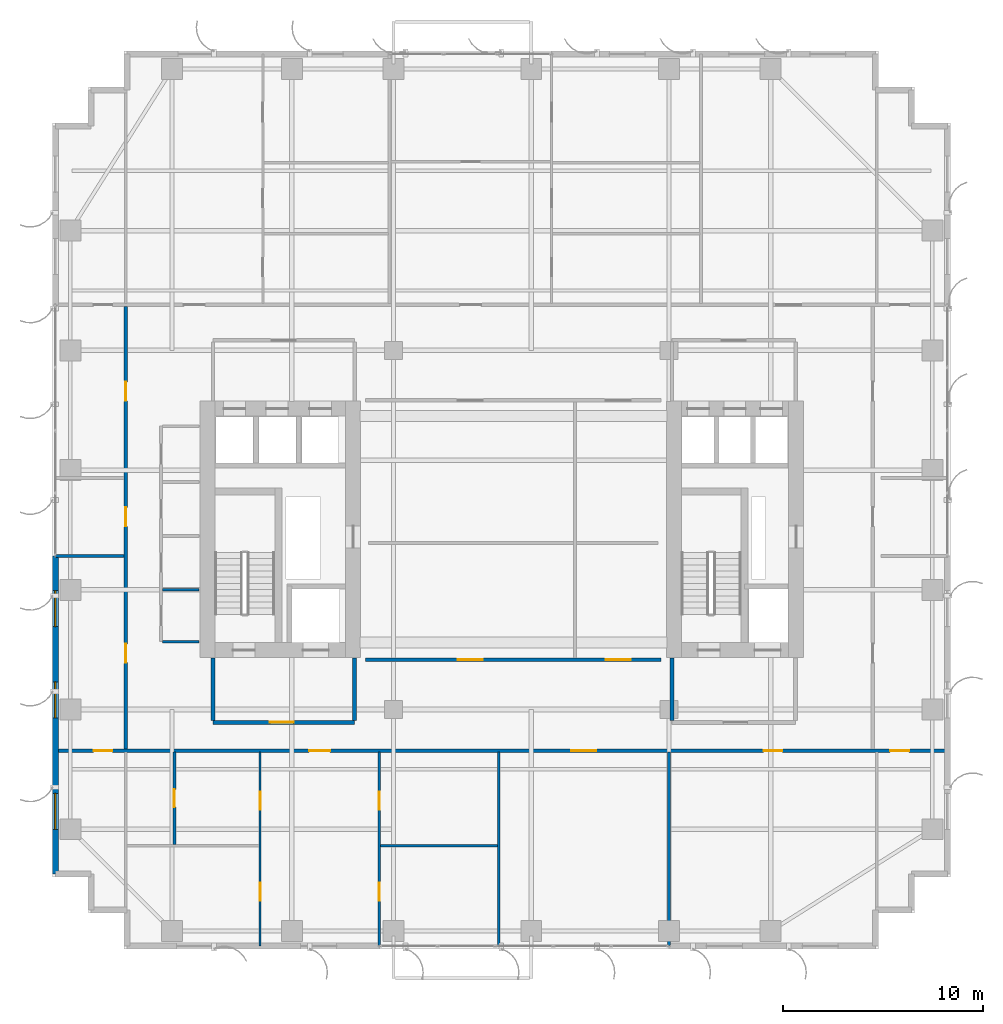
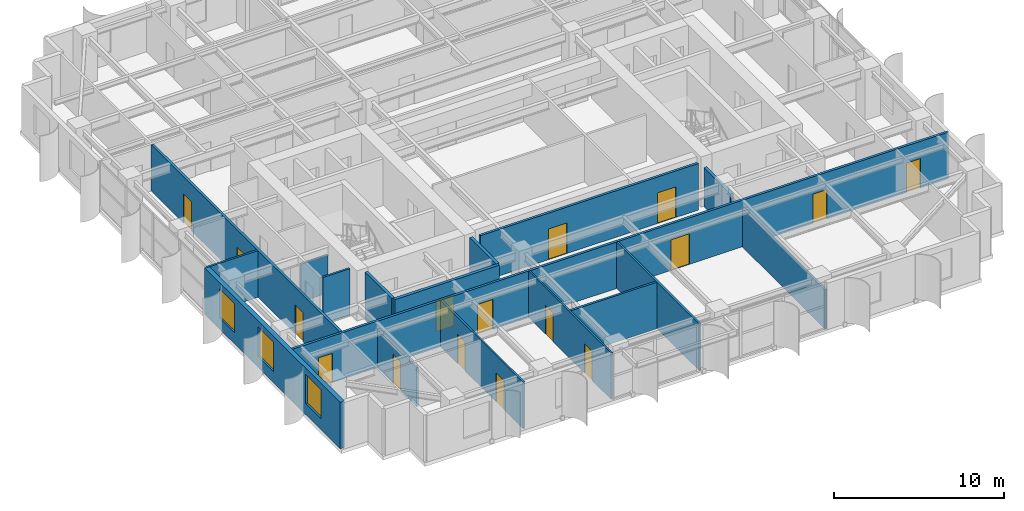
# One storey, part 16 of 23: 17 walls, 16 doors, 3 windows, 19 openings.
"""IFC4 building model written with IfcOpenShell, lengths in metres."""

from ifc_helpers import new_model, si_unit, direction, frame, frame_2d, origin, place, context, subcontext, project, spatial, rectangle, extrude, source, transform, mapped, material, layer, layer_set, type_object, element, fill, save


model = new_model("IFC4")

# Units and contexts
model_context = context("Model", 3, precision=1e-05, world=origin(), true_north=direction((0.0, 1.0)))
body_context = subcontext(model_context, "Body", "Model", "MODEL_VIEW")
ifc_project = project(units=[si_unit("LENGTHUNIT", "METRE"), si_unit("AREAUNIT", "SQUARE_METRE"), si_unit("VOLUMEUNIT", "CUBIC_METRE"), si_unit("PLANEANGLEUNIT", "RADIAN"), si_unit("MASSUNIT", "GRAM", prefix="KILO")], contexts=[model_context])

# Site, building, storey
site_placement = place(None, origin())
site = spatial("IfcSite", under=ifc_project, at=site_placement, CompositionType="ELEMENT")
building_placement = place(site_placement, origin())
building = spatial("IfcBuilding", under=site, at=building_placement, Name="Khoralis Quay Care Tower", CompositionType="ELEMENT")
storey_placement = place(building_placement, frame((0.0, 0.0, 119.699951171875)))
storey = spatial("IfcBuildingStorey", under=building, at=storey_placement, Name="L31", CompositionType="ELEMENT", Elevation=119.699951171875)

# Wall, opening, door
ifc_material_1 = material(Name="Gypsum plasterboard on acoustic metal stud")
ifc_layer_1 = layer(ifc_material_1, 0.199951171875)
ifc_layer_set_1 = layer_set([ifc_layer_1], Name="Gypsum plasterboard on acoustic metal stud")
wall_type_1 = type_object("IfcWallType", Name="WL-COMP-200", PredefinedType="PARTITIONING", material=ifc_layer_set_1)
wall_1_placement = place(storey_placement, frame((8.050048828125, 11.35009765625, 0.0), z_axis=(0.0, 0.0, 1.0), x_axis=(1.0, 0.0, 0.0)))
wall_1 = element("IfcWall", 1, at=wall_1_placement, inside=storey, type_object=wall_type_1, Name="L31 West Firefighting Lobby South Wall", PredefinedType="PARTITIONING", context=body_context, shape_type="SweptSolid", body=[
    extrude(rectangle(XDim=7.099853515625, YDim=0.199951171875, at=frame_2d((3.5498046875, 0.0))), origin(), (0.0, 0.0, 1.0), 3.340087890625),
])
opening_1_placement = place(wall_1_placement, frame((2.846435546875, 0.0, 0.0)))
opening_1 = element("IfcOpeningElement", 2, at=opening_1_placement, cuts=wall_1, Name="Opening FD1", PredefinedType="OPENING", context=body_context, shape_type="SweptSolid", body=[
    extrude(rectangle(XDim=1.199951171875, YDim=2.199951171875, at=frame_2d((0.60009765625, 1.10009765625))), frame((0.0, 0.10986328125, 0.0), z_axis=(0.0, -1.0, 0.0), x_axis=(1.0, 0.0, 0.0)), (0.0, 0.0, 1.0), 0.219970703125),
])
ifc_material_2 = material(Name="Fire-rated painted steel", Category="steel")
door_type_1 = type_object("IfcDoorType", Name="DR-FFL-1200X2200", OperationType="NOTDEFINED", PredefinedType="DOOR", material=ifc_material_2)
shared_shape_1 = source(origin(), body_context, "Body", "SweptSolid", [
    extrude(rectangle(XDim=1.199951171875, YDim=2.199951171875, at=frame_2d((0.60009765625, 1.10009765625))), frame((0.0, 0.02490234375, 0.0), z_axis=(0.0, -1.0, 0.0), x_axis=(1.0, 0.0, 0.0)), (0.0, 0.0, 1.0), 0.050048828125),
])
door_1_placement = place(opening_1_placement, origin())
door_1 = element("IfcDoor", 3, at=door_1_placement, inside=storey, type_object=door_type_1, Name="L31 West Firefighting Lobby Fire Door", OperationType="SINGLE_SWING_LEFT", OverallHeight=2.199951171875, OverallWidth=1.199951171875, PredefinedType="DOOR", context=body_context, shape_type="MappedRepresentation", body=[
    mapped(shared_shape_1, transform((0.0, 0.0, 0.0), scale=1.0)),
])
fill(opening_1, door_1)

# Walls
for number, where, z_axis, x_axis, name in (
    (4, (8.050048828125, 11.445068359375, 0.0), (0.0, 0.0, 1.0), (0.0, 1.0, 0.0), "L31 West Firefighting Lobby West Wall"),
    (5, (15.14990234375, 11.445068359375, 0.0), (0.0, 0.0, 1.0), (0.0, 1.0, 0.0), "L31 West Firefighting Lobby East Wall"),
):
    element("IfcWall", number, at=place(storey_placement, frame(where, z_axis=z_axis, x_axis=x_axis)), inside=storey, type_object=wall_type_1, Name=name, PredefinedType="PARTITIONING", context=body_context, shape_type="SweptSolid", body=[
        extrude(rectangle(XDim=3.135009765625, YDim=0.199951171875, at=frame_2d((1.5673828125, 0.0))), origin(), (0.0, 0.0, 1.0), 3.340087890625),
    ])
wall_2_placement = place(storey_placement, frame((31.050048828125, 11.445068359375, 0.0), z_axis=(0.0, 0.0, 1.0), x_axis=(0.0, 1.0, 0.0)))
element("IfcWall", 6, at=wall_2_placement, inside=storey, type_object=wall_type_1, Name="L31 East Firefighting Lobby West Wall", PredefinedType="PARTITIONING", context=body_context, shape_type="SweptSolid", body=[
    extrude(rectangle(XDim=3.135009765625, YDim=0.199951171875, at=frame_2d((1.5673828125, 0.0))), origin(), (0.0, 0.0, 1.0), 2.796142578125),
])

# Wall, openings, doors
ifc_layer_2 = layer(ifc_material_1, 0.1650390625)
ifc_layer_set_2 = layer_set([ifc_layer_2], Name="Gypsum plasterboard on acoustic metal stud")
wall_type_2 = type_object("IfcWallType", Name="WL-CORR-165", PredefinedType="PARTITIONING", material=ifc_layer_set_2)
wall_3_placement = place(storey_placement, frame((0.14501953125, 9.93994140625, 0.0), z_axis=(0.0, 0.0, 1.0), x_axis=(1.0, 0.0, 0.0)))
wall_3 = element("IfcWall", 7, at=wall_3_placement, inside=storey, type_object=wall_type_2, Name="L31 South Main Corridor Wall", PredefinedType="PARTITIONING", context=body_context, shape_type="SweptSolid", body=[
    extrude(rectangle(XDim=44.7099609375, YDim=0.1650390625, at=frame_2d((22.35498046875, 0.0))), origin(), (0.0, 0.0, 1.0), 3.340087890625),
])
opening_2_placement = place(wall_3_placement, frame((12.728515625, 0.0, 0.0)))
opening_2 = element("IfcOpeningElement", 8, at=opening_2_placement, cuts=wall_3, Name="Opening UD1", PredefinedType="OPENING", context=body_context, shape_type="SweptSolid", body=[
    extrude(rectangle(XDim=1.050048828125, YDim=2.14990234375, at=frame_2d((0.52490234375, 1.074951171875))), frame((0.0, 0.092529296875, 0.0), z_axis=(0.0, -1.0, 0.0), x_axis=(1.0, 0.0, 0.0)), (0.0, 0.0, 1.0), 0.18505859375),
])
opening_3_placement = place(wall_3_placement, frame((25.8701171875, 0.0, 0.0)))
opening_3 = element("IfcOpeningElement", 9, at=opening_3_placement, cuts=wall_3, Name="Opening CD1", PredefinedType="OPENING", context=body_context, shape_type="SweptSolid", body=[
    extrude(rectangle(XDim=1.25, YDim=2.199951171875, at=frame_2d((0.625, 1.10009765625))), frame((0.0, 0.092529296875, 0.0), z_axis=(0.0, -1.0, 0.0), x_axis=(1.0, 0.0, 0.0)), (0.0, 0.0, 1.0), 0.18505859375),
])
opening_4_placement = place(wall_3_placement, frame((35.4951171875, 0.0, 0.0)))
opening_4 = element("IfcOpeningElement", 10, at=opening_4_placement, cuts=wall_3, Name="Opening ID1", PredefinedType="OPENING", context=body_context, shape_type="SweptSolid", body=[
    extrude(rectangle(XDim=0.949951171875, YDim=2.10009765625, at=frame_2d((0.47509765625, 1.050048828125))), frame((0.0, 0.092529296875, 0.0), z_axis=(0.0, -1.0, 0.0), x_axis=(1.0, 0.0, 0.0)), (0.0, 0.0, 1.0), 0.18505859375),
])
opening_5_placement = place(wall_3_placement, frame((1.919921875, 0.0, 0.0)))
opening_5 = element("IfcOpeningElement", 11, at=opening_5_placement, cuts=wall_3, Name="Opening ID1", PredefinedType="OPENING", context=body_context, shape_type="SweptSolid", body=[
    extrude(rectangle(XDim=0.949951171875, YDim=2.10009765625, at=frame_2d((0.47509765625, 1.050048828125))), frame((0.0, 0.092529296875, 0.0), z_axis=(0.0, -1.0, 0.0), x_axis=(1.0, 0.0, 0.0)), (0.0, 0.0, 1.0), 0.18505859375),
])
opening_6_placement = place(wall_3_placement, frame((41.840087890625, 0.0, 0.0)))
opening_6 = element("IfcOpeningElement", 12, at=opening_6_placement, cuts=wall_3, Name="Opening ID1", PredefinedType="OPENING", context=body_context, shape_type="SweptSolid", body=[
    extrude(rectangle(XDim=0.949951171875, YDim=2.10009765625, at=frame_2d((0.47509765625, 1.050048828125))), frame((0.0, 0.092529296875, 0.0), z_axis=(0.0, -1.0, 0.0), x_axis=(1.0, 0.0, 0.0)), (0.0, 0.0, 1.0), 0.18505859375),
])
ifc_material_3 = material(Name="Acoustic hardwood timber", Category="wood")
door_type_2 = type_object("IfcDoorType", Name="DR-CARE-1250X2200", OperationType="NOTDEFINED", PredefinedType="DOOR", material=ifc_material_3)
shared_shape_2 = source(origin(), body_context, "Body", "SweptSolid", [
    extrude(rectangle(XDim=1.25, YDim=2.199951171875, at=frame_2d((0.625, 1.10009765625))), frame((0.0, 0.02490234375, 0.0), z_axis=(0.0, -1.0, 0.0), x_axis=(1.0, 0.0, 0.0)), (0.0, 0.0, 1.0), 0.050048828125),
])
door_2_placement = place(opening_3_placement, frame((1.25, 0.0, 0.0), z_axis=(0.0, 0.0, 1.0), x_axis=(-1.0, 0.0, 0.0)))
door_2 = element("IfcDoor", 13, at=door_2_placement, inside=storey, type_object=door_type_2, Name="L31 Geriatric Consultation Clinic Door", OperationType="SINGLE_SWING_RIGHT", OverallHeight=2.199951171875, OverallWidth=1.25, PredefinedType="DOOR", context=body_context, shape_type="MappedRepresentation", body=[
    mapped(shared_shape_2, transform((0.0, 0.0, 0.0), scale=1.0)),
])
fill(opening_3, door_2)
door_type_3 = type_object("IfcDoorType", Name="DR-ROOM-950X2100", OperationType="NOTDEFINED", PredefinedType="DOOR", material=ifc_material_3)
shared_shape_3 = source(origin(), body_context, "Body", "SweptSolid", [
    extrude(rectangle(XDim=0.949951171875, YDim=2.10009765625, at=frame_2d((0.47509765625, 1.050048828125))), frame((0.0, 0.02490234375, 0.0), z_axis=(0.0, -1.0, 0.0), x_axis=(1.0, 0.0, 0.0)), (0.0, 0.0, 1.0), 0.050048828125),
])
door_3_placement = place(opening_4_placement, frame((0.949951171875, 0.0, 0.0), z_axis=(0.0, 0.0, 1.0), x_axis=(-1.0, 0.0, 0.0)))
door_3 = element("IfcDoor", 14, at=door_3_placement, inside=storey, type_object=door_type_3, Name="L31 Family Case Conference Room Door", OperationType="SINGLE_SWING_RIGHT", OverallHeight=2.10009765625, OverallWidth=0.949951171875, PredefinedType="DOOR", context=body_context, shape_type="MappedRepresentation", body=[
    mapped(shared_shape_3, transform((0.0, 0.0, 0.0), scale=1.0)),
])
fill(opening_4, door_3)
door_4_placement = place(opening_5_placement, frame((0.949951171875, 0.0, 0.0), z_axis=(0.0, 0.0, 1.0), x_axis=(-1.0, 0.0, 0.0)))
door_4 = element("IfcDoor", 15, at=door_4_placement, inside=storey, type_object=door_type_3, Name="L31 SW Corner Door", OperationType="SINGLE_SWING_LEFT", OverallHeight=2.10009765625, OverallWidth=0.949951171875, PredefinedType="DOOR", context=body_context, shape_type="MappedRepresentation", body=[
    mapped(shared_shape_3, transform((0.0, 0.0, 0.0), scale=1.0)),
])
fill(opening_5, door_4)
door_5_placement = place(opening_6_placement, frame((0.949951171875, 0.0, 0.0), z_axis=(0.0, 0.0, 1.0), x_axis=(-1.0, 0.0, 0.0)))
door_5 = element("IfcDoor", 16, at=door_5_placement, inside=storey, type_object=door_type_3, Name="L31 SE Corner Door", OperationType="SINGLE_SWING_RIGHT", OverallHeight=2.10009765625, OverallWidth=0.949951171875, PredefinedType="DOOR", context=body_context, shape_type="MappedRepresentation", body=[
    mapped(shared_shape_3, transform((0.0, 0.0, 0.0), scale=1.0)),
])
fill(opening_6, door_5)
door_type_4 = type_object("IfcDoorType", Name="DR-SUITE-1050X2150", OperationType="NOTDEFINED", PredefinedType="DOOR", material=ifc_material_3)
shared_shape_4 = source(origin(), body_context, "Body", "SweptSolid", [
    extrude(rectangle(XDim=1.050048828125, YDim=2.14990234375, at=frame_2d((0.52490234375, 1.074951171875))), frame((0.0, 0.02490234375, 0.0), z_axis=(0.0, -1.0, 0.0), x_axis=(1.0, 0.0, 0.0)), (0.0, 0.0, 1.0), 0.050048828125),
])
door_6_placement = place(opening_2_placement, frame((1.050048828125, 0.0, 0.0), z_axis=(0.0, 0.0, 1.0), x_axis=(-1.0, 0.0, 0.0)))
door_6 = element("IfcDoor", 17, at=door_6_placement, inside=storey, type_object=door_type_4, Name="L31 2BR SB0 Entrance", OperationType="SINGLE_SWING_LEFT", OverallHeight=2.14990234375, OverallWidth=1.050048828125, PredefinedType="DOOR", context=body_context, shape_type="MappedRepresentation", body=[
    mapped(shared_shape_4, transform((0.0, 0.0, 0.0), scale=1.0)),
])
fill(opening_2, door_6)

wall_4_placement = place(storey_placement, frame((3.679931640625, 10.017578125, 0.0), z_axis=(0.0, 0.0, 1.0), x_axis=(0.0, 1.0, 0.0)))
wall_4 = element("IfcWall", 18, at=wall_4_placement, inside=storey, type_object=wall_type_2, Name="L31 West Loop Corridor Wall", PredefinedType="PARTITIONING", context=body_context, shape_type="SweptSolid", body=[
    extrude(rectangle(XDim=22.184814453125, YDim=0.1650390625, at=frame_2d((11.09228515625, 0.0))), origin(), (0.0, 0.0, 1.0), 3.340087890625),
])
opening_7_placement = place(wall_4_placement, frame((4.327392578125, 0.0, 0.0)))
opening_7 = element("IfcOpeningElement", 19, at=opening_7_placement, cuts=wall_4, Name="Opening ID1", PredefinedType="OPENING", context=body_context, shape_type="SweptSolid", body=[
    extrude(rectangle(XDim=0.949951171875, YDim=2.10009765625, at=frame_2d((0.47509765625, 1.050048828125))), frame((0.0, 0.092529296875, 0.0), z_axis=(0.0, -1.0, 0.0), x_axis=(1.0, 0.0, 0.0)), (0.0, 0.0, 1.0), 0.18505859375),
])
opening_8_placement = place(wall_4_placement, frame((11.157470703125, 0.0, 0.0)))
opening_8 = element("IfcOpeningElement", 20, at=opening_8_placement, cuts=wall_4, Name="Opening ID1", PredefinedType="OPENING", context=body_context, shape_type="SweptSolid", body=[
    extrude(rectangle(XDim=0.949951171875, YDim=2.10009765625, at=frame_2d((0.47509765625, 1.050048828125))), frame((0.0, 0.092529296875, 0.0), z_axis=(0.0, -1.0, 0.0), x_axis=(1.0, 0.0, 0.0)), (0.0, 0.0, 1.0), 0.18505859375),
])
opening_9_placement = place(wall_4_placement, frame((17.447509765625, 0.0, 0.0)))
opening_9 = element("IfcOpeningElement", 21, at=opening_9_placement, cuts=wall_4, Name="Opening ID1", PredefinedType="OPENING", context=body_context, shape_type="SweptSolid", body=[
    extrude(rectangle(XDim=0.949951171875, YDim=2.10009765625, at=frame_2d((0.47509765625, 1.050048828125))), frame((0.0, 0.092529296875, 0.0), z_axis=(0.0, -1.0, 0.0), x_axis=(1.0, 0.0, 0.0)), (0.0, 0.0, 1.0), 0.18505859375),
])
door_7_placement = place(opening_7_placement, origin())
door_7 = element("IfcDoor", 22, at=door_7_placement, inside=storey, type_object=door_type_3, Name="L31 Therapy Consultation Room Door", OperationType="SINGLE_SWING_LEFT", OverallHeight=2.10009765625, OverallWidth=0.949951171875, PredefinedType="DOOR", context=body_context, shape_type="MappedRepresentation", body=[
    mapped(shared_shape_3, transform((0.0, 0.0, 0.0), scale=1.0)),
])
fill(opening_7, door_7)
door_8_placement = place(opening_8_placement, origin())
door_8 = element("IfcDoor", 23, at=door_8_placement, inside=storey, type_object=door_type_3, Name="L31 Assisted Activity Lounge Door", OperationType="SINGLE_SWING_RIGHT", OverallHeight=2.10009765625, OverallWidth=0.949951171875, PredefinedType="DOOR", context=body_context, shape_type="MappedRepresentation", body=[
    mapped(shared_shape_3, transform((0.0, 0.0, 0.0), scale=1.0)),
])
fill(opening_8, door_8)
door_9_placement = place(opening_9_placement, origin())
door_9 = element("IfcDoor", 24, at=door_9_placement, inside=storey, type_object=door_type_3, Name="L31 Nurse Charting Office Door", OperationType="SINGLE_SWING_LEFT", OverallHeight=2.10009765625, OverallWidth=0.949951171875, PredefinedType="DOOR", context=body_context, shape_type="MappedRepresentation", body=[
    mapped(shared_shape_3, transform((0.0, 0.0, 0.0), scale=1.0)),
])
fill(opening_9, door_9)

wall_5_placement = place(storey_placement, frame((15.699951171875, 14.5, 0.0), z_axis=(0.0, 0.0, 1.0), x_axis=(1.0, 0.0, 0.0)))
wall_5 = element("IfcWall", 25, at=wall_5_placement, inside=storey, type_object=wall_type_2, Name="L31 Central Clinical South Wall", PredefinedType="PARTITIONING", context=body_context, shape_type="SweptSolid", body=[
    extrude(rectangle(XDim=14.800048828125, YDim=0.1650390625, at=frame_2d((7.39990234375, 0.0))), origin(), (0.0, 0.0, 1.0), 3.340087890625),
])
opening_10_placement = place(wall_5_placement, frame((4.625, 0.0, 0.0)))
opening_10 = element("IfcOpeningElement", 26, at=opening_10_placement, cuts=wall_5, Name="Opening CD1", PredefinedType="OPENING", context=body_context, shape_type="SweptSolid", body=[
    extrude(rectangle(XDim=1.25, YDim=2.199951171875, at=frame_2d((0.625, 1.10009765625))), frame((0.0, 0.092529296875, 0.0), z_axis=(0.0, -1.0, 0.0), x_axis=(1.0, 0.0, 0.0)), (0.0, 0.0, 1.0), 0.18505859375),
])
opening_11_placement = place(wall_5_placement, frame((12.02490234375, 0.0, 0.0)))
opening_11 = element("IfcOpeningElement", 27, at=opening_11_placement, cuts=wall_5, Name="Opening CD1", PredefinedType="OPENING", context=body_context, shape_type="SweptSolid", body=[
    extrude(rectangle(XDim=1.25, YDim=2.199951171875, at=frame_2d((0.625, 1.10009765625))), frame((0.0, 0.092529296875, 0.0), z_axis=(0.0, -1.0, 0.0), x_axis=(1.0, 0.0, 0.0)), (0.0, 0.0, 1.0), 0.18505859375),
])
door_10_placement = place(opening_10_placement, origin())
door_10 = element("IfcDoor", 28, at=door_10_placement, inside=storey, type_object=door_type_2, Name="L31 Nurse Station Door", OperationType="SINGLE_SWING_LEFT", OverallHeight=2.199951171875, OverallWidth=1.25, PredefinedType="DOOR", context=body_context, shape_type="MappedRepresentation", body=[
    mapped(shared_shape_2, transform((0.0, 0.0, 0.0), scale=1.0)),
])
fill(opening_10, door_10)
door_11_placement = place(opening_11_placement, origin())
door_11 = element("IfcDoor", 29, at=door_11_placement, inside=storey, type_object=door_type_2, Name="L31 Treatment Clinic Door", OperationType="SINGLE_SWING_RIGHT", OverallHeight=2.199951171875, OverallWidth=1.25, PredefinedType="DOOR", context=body_context, shape_type="MappedRepresentation", body=[
    mapped(shared_shape_2, transform((0.0, 0.0, 0.0), scale=1.0)),
])
fill(opening_11, door_11)

# Wall, openings, windows
ifc_material_4 = material(Name="Precast concrete C45/55", Category="concrete")
ifc_layer_3 = layer(ifc_material_4, 0.300048828125)
ifc_layer_set_3 = layer_set([ifc_layer_3], Name="Precast concrete C45/55")
wall_type_3 = type_object("IfcWallType", Name="WL-EXT-REF-300", PredefinedType="SOLIDWALL", material=ifc_layer_set_3)
wall_6_placement = place(storey_placement, frame((0.14990234375, 19.699951171875, 0.0), z_axis=(0.0, 0.0, 1.0), x_axis=(0.0, -1.0, 0.0)))
wall_6 = element("IfcWall", 30, at=wall_6_placement, inside=storey, type_object=wall_type_3, Name="L31 External Facade Wall WL-EXT-L31-P1-E15B", PredefinedType="SOLIDWALL", context=body_context, shape_type="SweptSolid", body=[
    extrude(rectangle(XDim=15.949951171875, YDim=0.300048828125, at=frame_2d((7.97509765625, 0.0))), origin(), (0.0, 0.0, 1.0), 3.340087890625),
])
opening_12_placement = place(wall_6_placement, frame((1.7451171875, 0.0, 0.800048828125)))
opening_12 = element("IfcOpeningElement", 31, at=opening_12_placement, cuts=wall_6, Name="Opening W2", PredefinedType="OPENING", context=body_context, shape_type="SweptSolid", body=[
    extrude(rectangle(XDim=1.800048828125, YDim=2.10009765625, at=frame_2d((0.89990234375, 1.050048828125))), frame((0.0, 0.16015625, 0.0), z_axis=(0.0, -1.0, 0.0), x_axis=(1.0, 0.0, 0.0)), (0.0, 0.0, 1.0), 0.320068359375),
])
opening_13_placement = place(wall_6_placement, frame((6.31494140625, 0.0, 0.800048828125)))
opening_13 = element("IfcOpeningElement", 32, at=opening_13_placement, cuts=wall_6, Name="Opening W2", PredefinedType="OPENING", context=body_context, shape_type="SweptSolid", body=[
    extrude(rectangle(XDim=1.800048828125, YDim=2.10009765625, at=frame_2d((0.89990234375, 1.050048828125))), frame((0.0, 0.16015625, 0.0), z_axis=(0.0, -1.0, 0.0), x_axis=(1.0, 0.0, 0.0)), (0.0, 0.0, 1.0), 0.320068359375),
])
opening_14_placement = place(wall_6_placement, frame((11.905029296875, 0.0, 0.800048828125)))
opening_14 = element("IfcOpeningElement", 33, at=opening_14_placement, cuts=wall_6, Name="Opening W2", PredefinedType="OPENING", context=body_context, shape_type="SweptSolid", body=[
    extrude(rectangle(XDim=1.800048828125, YDim=2.10009765625, at=frame_2d((0.89990234375, 1.050048828125))), frame((0.0, 0.16015625, 0.0), z_axis=(0.0, -1.0, 0.0), x_axis=(1.0, 0.0, 0.0)), (0.0, 0.0, 1.0), 0.320068359375),
])
ifc_material_5 = material(Name="Low-E solar-control double glazing", Category="glass")
window_type = type_object("IfcWindowType", Name="WN-POD-1800X2100", PartitioningType="SINGLE_PANEL", PredefinedType="WINDOW", material=ifc_material_5)
shared_shape_5 = source(origin(), body_context, "Body", "SweptSolid", [
    extrude(rectangle(XDim=1.800048828125, YDim=2.10009765625, at=frame_2d((0.89990234375, 1.050048828125))), frame((0.0, 0.030029296875, 0.0), z_axis=(0.0, -1.0, 0.0), x_axis=(1.0, 0.0, 0.0)), (0.0, 0.0, 1.0), 0.06005859375),
])
window_1_placement = place(opening_12_placement, origin())
window_1 = element("IfcWindow", 34, at=window_1_placement, inside=storey, type_object=window_type, Name="WN-L31-P1-E15B Facade Window 01", OverallHeight=2.10009765625, OverallWidth=1.800048828125, PartitioningType="SINGLE_PANEL", PredefinedType="WINDOW", context=body_context, shape_type="MappedRepresentation", body=[
    mapped(shared_shape_5, transform((0.0, 0.0, 0.0), scale=1.0)),
])
fill(opening_12, window_1)
window_2_placement = place(opening_13_placement, origin())
window_2 = element("IfcWindow", 35, at=window_2_placement, inside=storey, type_object=window_type, Name="WN-L31-P1-E15B Facade Window 02", OverallHeight=2.10009765625, OverallWidth=1.800048828125, PartitioningType="SINGLE_PANEL", PredefinedType="WINDOW", context=body_context, shape_type="MappedRepresentation", body=[
    mapped(shared_shape_5, transform((0.0, 0.0, 0.0), scale=1.0)),
])
fill(opening_13, window_2)
window_3_placement = place(opening_14_placement, origin())
window_3 = element("IfcWindow", 36, at=window_3_placement, inside=storey, type_object=window_type, Name="WN-L31-P1-E15B Facade Window 03", OverallHeight=2.10009765625, OverallWidth=1.800048828125, PartitioningType="SINGLE_PANEL", PredefinedType="WINDOW", context=body_context, shape_type="MappedRepresentation", body=[
    mapped(shared_shape_5, transform((0.0, 0.0, 0.0), scale=1.0)),
])
fill(opening_14, window_3)

# Wall, openings, doors
ifc_layer_4 = layer(ifc_material_1, 0.114990234375)
ifc_layer_set_4 = layer_set([ifc_layer_4], Name="Gypsum plasterboard on acoustic metal stud")
wall_type_4 = type_object("IfcWallType", Name="WL-PART-115", PredefinedType="PARTITIONING", material=ifc_layer_set_4)
wall_7_placement = place(storey_placement, frame((10.407958984375, 0.14501953125, 0.0), z_axis=(0.0, 0.0, 1.0), x_axis=(0.0, 1.0, 0.0)))
wall_7 = element("IfcWall", 37, at=wall_7_placement, inside=storey, type_object=wall_type_4, Name="L31 2BR 0 Left Wall", PredefinedType="PARTITIONING", context=body_context, shape_type="SweptSolid", body=[
    extrude(rectangle(XDim=9.717529296875, YDim=0.114990234375, at=frame_2d((4.85888671875, 0.0))), origin(), (0.0, 0.0, 1.0), 3.340087890625),
])
opening_15_placement = place(wall_7_placement, frame((2.264404296875, 0.0, 0.0)))
opening_15 = element("IfcOpeningElement", 38, at=opening_15_placement, cuts=wall_7, Name="Opening WD1", PredefinedType="OPENING", context=body_context, shape_type="SweptSolid", body=[
    extrude(rectangle(XDim=0.89990234375, YDim=2.10009765625, at=frame_2d((0.449951171875, 1.050048828125))), frame((0.0, 0.0673828125, 0.0), z_axis=(0.0, -1.0, 0.0), x_axis=(1.0, 0.0, 0.0)), (0.0, 0.0, 1.0), 0.135009765625),
])
opening_16_placement = place(wall_7_placement, frame((6.844482421875, 0.0, 0.0)))
opening_16 = element("IfcOpeningElement", 39, at=opening_16_placement, cuts=wall_7, Name="Opening WD1", PredefinedType="OPENING", context=body_context, shape_type="SweptSolid", body=[
    extrude(rectangle(XDim=0.89990234375, YDim=2.10009765625, at=frame_2d((0.449951171875, 1.050048828125))), frame((0.0, 0.0673828125, 0.0), z_axis=(0.0, -1.0, 0.0), x_axis=(1.0, 0.0, 0.0)), (0.0, 0.0, 1.0), 0.135009765625),
])
door_type_5 = type_object("IfcDoorType", Name="DR-BATH-900X2100", OperationType="NOTDEFINED", PredefinedType="DOOR", material=ifc_material_3)
shared_shape_6 = source(origin(), body_context, "Body", "SweptSolid", [
    extrude(rectangle(XDim=0.89990234375, YDim=2.10009765625, at=frame_2d((0.449951171875, 1.050048828125))), frame((0.0, 0.02490234375, 0.0), z_axis=(0.0, -1.0, 0.0), x_axis=(1.0, 0.0, 0.0)), (0.0, 0.0, 1.0), 0.050048828125),
])
door_12_placement = place(opening_15_placement, origin())
door_12 = element("IfcDoor", 40, at=door_12_placement, inside=storey, type_object=door_type_5, Name="L31 2BR BD1 Door", OperationType="SINGLE_SWING_RIGHT", OverallHeight=2.10009765625, OverallWidth=0.89990234375, PredefinedType="DOOR", context=body_context, shape_type="MappedRepresentation", body=[
    mapped(shared_shape_6, transform((0.0, 0.0, 0.0), scale=1.0)),
])
fill(opening_15, door_12)
door_13_placement = place(opening_16_placement, origin())
door_13 = element("IfcDoor", 41, at=door_13_placement, inside=storey, type_object=door_type_5, Name="L31 2BR BTH Door", OperationType="SINGLE_SWING_LEFT", OverallHeight=2.10009765625, OverallWidth=0.89990234375, PredefinedType="DOOR", context=body_context, shape_type="MappedRepresentation", body=[
    mapped(shared_shape_6, transform((0.0, 0.0, 0.0), scale=1.0)),
])
fill(opening_16, door_13)

wall_8_placement = place(storey_placement, frame((16.388916015625, 0.14501953125, 0.0), z_axis=(0.0, 0.0, 1.0), x_axis=(0.0, 1.0, 0.0)))
wall_8 = element("IfcWall", 42, at=wall_8_placement, inside=storey, type_object=wall_type_4, Name="L31 2BR 0 Right Wall", PredefinedType="PARTITIONING", context=body_context, shape_type="SweptSolid", body=[
    extrude(rectangle(XDim=9.717529296875, YDim=0.114990234375, at=frame_2d((4.85888671875, 0.0))), origin(), (0.0, 0.0, 1.0), 3.340087890625),
])
opening_17_placement = place(wall_8_placement, frame((2.264404296875, 0.0, 0.0)))
opening_17 = element("IfcOpeningElement", 43, at=opening_17_placement, cuts=wall_8, Name="Opening WD1", PredefinedType="OPENING", context=body_context, shape_type="SweptSolid", body=[
    extrude(rectangle(XDim=0.89990234375, YDim=2.10009765625, at=frame_2d((0.449951171875, 1.050048828125))), frame((0.0, 0.0673828125, 0.0), z_axis=(0.0, -1.0, 0.0), x_axis=(1.0, 0.0, 0.0)), (0.0, 0.0, 1.0), 0.135009765625),
])
opening_18_placement = place(wall_8_placement, frame((6.844482421875, 0.0, 0.0)))
opening_18 = element("IfcOpeningElement", 44, at=opening_18_placement, cuts=wall_8, Name="Opening WD1", PredefinedType="OPENING", context=body_context, shape_type="SweptSolid", body=[
    extrude(rectangle(XDim=0.89990234375, YDim=2.10009765625, at=frame_2d((0.449951171875, 1.050048828125))), frame((0.0, 0.0673828125, 0.0), z_axis=(0.0, -1.0, 0.0), x_axis=(1.0, 0.0, 0.0)), (0.0, 0.0, 1.0), 0.135009765625),
])
door_14_placement = place(opening_17_placement, frame((0.89990234375, 0.0, 0.0), z_axis=(0.0, 0.0, 1.0), x_axis=(-1.0, 0.0, 0.0)))
door_14 = element("IfcDoor", 45, at=door_14_placement, inside=storey, type_object=door_type_5, Name="L31 2BR BD2 Door", OperationType="SINGLE_SWING_RIGHT", OverallHeight=2.10009765625, OverallWidth=0.89990234375, PredefinedType="DOOR", context=body_context, shape_type="MappedRepresentation", body=[
    mapped(shared_shape_6, transform((0.0, 0.0, 0.0), scale=1.0)),
])
fill(opening_17, door_14)
door_15_placement = place(opening_18_placement, frame((0.89990234375, 0.0, 0.0), z_axis=(0.0, 0.0, 1.0), x_axis=(-1.0, 0.0, 0.0)))
door_15 = element("IfcDoor", 46, at=door_15_placement, inside=storey, type_object=door_type_5, Name="L31 2BR KIT Door", OperationType="SINGLE_SWING_LEFT", OverallHeight=2.10009765625, OverallWidth=0.89990234375, PredefinedType="DOOR", context=body_context, shape_type="MappedRepresentation", body=[
    mapped(shared_shape_6, transform((0.0, 0.0, 0.0), scale=1.0)),
])
fill(opening_18, door_15)

# Walls
ifc_material_6 = material(Name="Moisture-resistant gypsum and ceramic tile")
ifc_layer_5 = layer(ifc_material_6, 0.280029296875)
ifc_layer_set_5 = layer_set([ifc_layer_5], Name="Moisture-resistant gypsum and ceramic tile")
wall_type_5 = type_object("IfcWallType", Name="WL-PLUMB-280", PredefinedType="PLUMBINGWALL", material=ifc_layer_set_5)
wall_9_placement = place(storey_placement, frame((5.527587890625, 18.0, 0.0), z_axis=(0.0, 0.0, 1.0), x_axis=(1.0, 0.0, 0.0)))
element("IfcWall", 47, at=wall_9_placement, inside=storey, type_object=wall_type_5, Name="L31 West Flank Divider 1", PredefinedType="PLUMBINGWALL", context=body_context, shape_type="SweptSolid", body=[
    extrude(rectangle(XDim=1.83251953125, YDim=0.139892578125, at=frame_2d((0.916259765625, 0.0))), origin(), (0.0, 0.0, 1.0), 2.72314453125),
])
wall_10_placement = place(storey_placement, frame((16.44140625, 5.1689453125, 0.0), z_axis=(0.0, 0.0, 1.0), x_axis=(1.0, 0.0, 0.0)))
element("IfcWall", 48, at=wall_10_placement, inside=storey, type_object=wall_type_5, Name="L31 2BR 0 Right Split", PredefinedType="PLUMBINGWALL", context=body_context, shape_type="SweptSolid", body=[
    extrude(rectangle(XDim=5.863525390625, YDim=0.139892578125, at=frame_2d((2.931640625, 0.0))), origin(), (0.0, 0.0, 1.0), 3.340087890625),
])
ifc_layer_6 = layer(ifc_material_1, 0.139892578125)
ifc_layer_set_6 = layer_set([ifc_layer_6], Name="Gypsum plasterboard on acoustic metal stud")
wall_type_6 = type_object("IfcWallType", Name="WL-UNIT-140", PredefinedType="PARTITIONING", material=ifc_layer_set_6)
wall_11_placement = place(storey_placement, frame((5.527587890625, 15.39990234375, 0.0), z_axis=(0.0, 0.0, 1.0), x_axis=(1.0, 0.0, 0.0)))
element("IfcWall", 49, at=wall_11_placement, inside=storey, type_object=wall_type_6, Name="L31 West Flank South Cap", PredefinedType="PARTITIONING", context=body_context, shape_type="SweptSolid", body=[
    extrude(rectangle(XDim=1.83251953125, YDim=0.139892578125, at=frame_2d((0.916259765625, 0.0))), origin(), (0.0, 0.0, 1.0), 3.340087890625),
])
wall_12_placement = place(storey_placement, frame((0.14501953125, 19.699951171875, 0.0), z_axis=(0.0, 0.0, 1.0), x_axis=(1.0, 0.0, 0.0)))
element("IfcWall", 50, at=wall_12_placement, inside=storey, type_object=wall_type_6, Name="L31 WW Divider 1", PredefinedType="PARTITIONING", context=body_context, shape_type="SweptSolid", body=[
    extrude(rectangle(XDim=3.45751953125, YDim=0.139892578125, at=frame_2d((1.728759765625, 0.0))), origin(), (0.0, 0.0, 1.0), 3.340087890625),
])
wall_13_placement = place(storey_placement, frame((22.3701171875, 0.14501953125, 0.0), z_axis=(0.0, 0.0, 1.0), x_axis=(0.0, 1.0, 0.0)))
element("IfcWall", 51, at=wall_13_placement, inside=storey, type_object=wall_type_6, Name="L31 SB Demising Wall 1", PredefinedType="PARTITIONING", context=body_context, shape_type="SweptSolid", body=[
    extrude(rectangle(XDim=9.717529296875, YDim=0.139892578125, at=frame_2d((4.85888671875, 0.0))), origin(), (0.0, 0.0, 1.0), 3.340087890625),
])
wall_14_placement = place(storey_placement, frame((30.909912109375, 0.14501953125, 0.0), z_axis=(0.0, 0.0, 1.0), x_axis=(0.0, 1.0, 0.0)))
element("IfcWall", 52, at=wall_14_placement, inside=storey, type_object=wall_type_6, Name="L31 SB Demising Wall 2", PredefinedType="PARTITIONING", context=body_context, shape_type="SweptSolid", body=[
    extrude(rectangle(XDim=9.717529296875, YDim=0.139892578125, at=frame_2d((4.85888671875, 0.0))), origin(), (0.0, 0.0, 1.0), 2.796142578125),
])

# Wall, opening, door
wall_15_placement = place(storey_placement, frame((6.1201171875, 5.23388671875, 0.0), z_axis=(0.0, 0.0, 1.0), x_axis=(0.0, 1.0, 0.0)))
wall_15 = element("IfcWall", 53, at=wall_15_placement, inside=storey, type_object=wall_type_6, Name="Family Apartment Bathroom L31-SB0 Sub-Partition", PredefinedType="PARTITIONING", context=body_context, shape_type="SweptSolid", body=[
    extrude(rectangle(XDim=4.628662109375, YDim=0.139892578125, at=frame_2d((2.314453125, 0.0))), origin(), (0.0, 0.0, 1.0), 2.796142578125),
])
opening_19_placement = place(wall_15_placement, frame((1.87060546875, 0.0, 0.0)))
opening_19 = element("IfcOpeningElement", 54, at=opening_19_placement, cuts=wall_15, Name="Opening WD1", PredefinedType="OPENING", context=body_context, shape_type="SweptSolid", body=[
    extrude(rectangle(XDim=0.89990234375, YDim=2.10009765625, at=frame_2d((0.449951171875, 1.050048828125))), frame((0.0, 0.080078125, 0.0), z_axis=(0.0, -1.0, 0.0), x_axis=(1.0, 0.0, 0.0)), (0.0, 0.0, 1.0), 0.159912109375),
])
door_16_placement = place(opening_19_placement, origin())
door_16 = element("IfcDoor", 55, at=door_16_placement, inside=storey, type_object=door_type_5, Name="Linen & Utility Closet BTH0 Door", OperationType="SINGLE_SWING_LEFT", OverallHeight=2.10009765625, OverallWidth=0.89990234375, PredefinedType="DOOR", context=body_context, shape_type="MappedRepresentation", body=[
    mapped(shared_shape_6, transform((0.0, 0.0, 0.0), scale=1.0)),
])
fill(opening_19, door_16)

save(model, "model.ifc")
